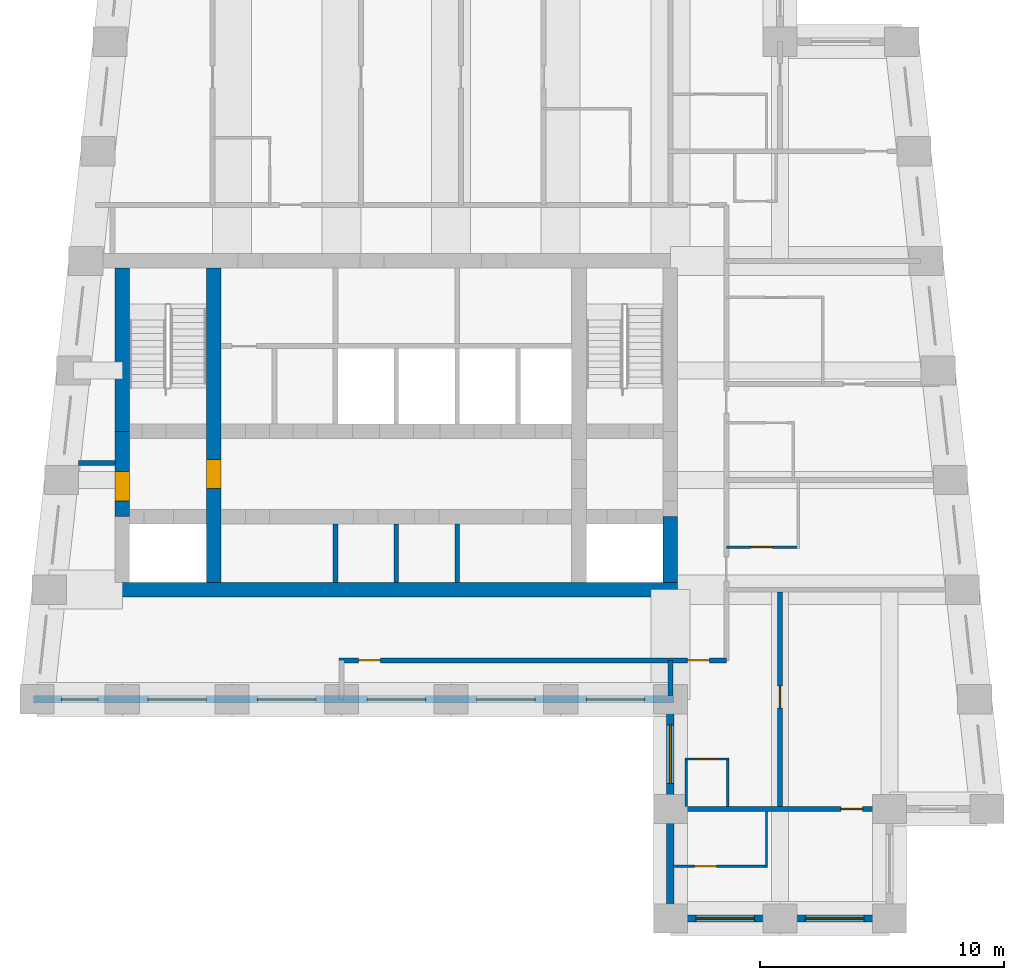
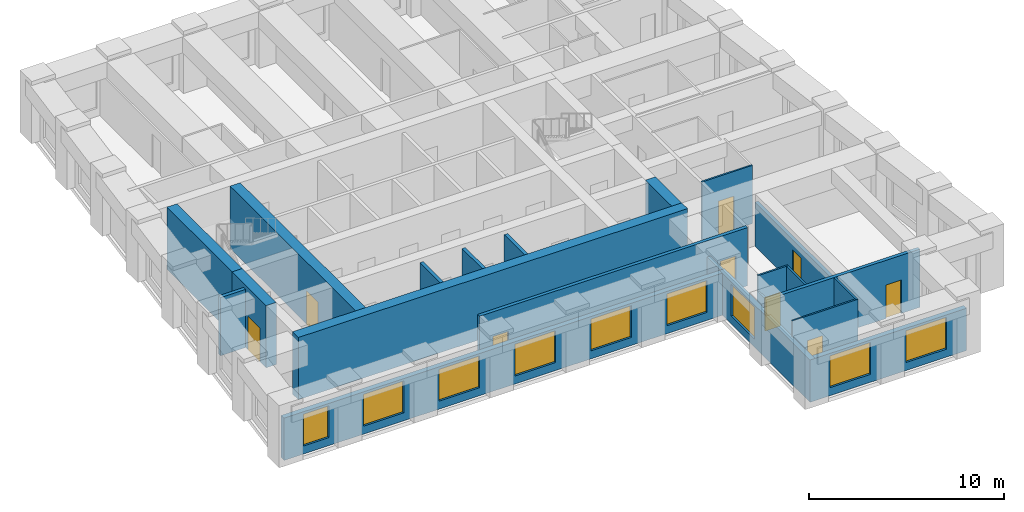
# One storey, part 2 of 7: 22 walls, 9 doors, 9 windows, 18 openings.
"""IFC4 building model written with IfcOpenShell, lengths in metres."""

from ifc_helpers import new_model, si_unit, direction, frame, frame_2d, origin, place, context, subcontext, project, spatial, rectangle, extrude, material, layer, layer_set, type_object, element, fill, save


model = new_model("IFC4")

# Units and contexts
model_context = context("Model", 3, precision=1e-05, world=origin(), true_north=direction((0.0, 1.0)))
body_context = subcontext(model_context, "Body", "Model", "MODEL_VIEW")
ifc_project = project(units=[si_unit("LENGTHUNIT", "METRE"), si_unit("AREAUNIT", "SQUARE_METRE"), si_unit("VOLUMEUNIT", "CUBIC_METRE"), si_unit("PLANEANGLEUNIT", "RADIAN"), si_unit("MASSUNIT", "GRAM", prefix="KILO")], contexts=[model_context])

# Site, building, storey
site_placement = place(None, origin())
site = spatial("IfcSite", under=ifc_project, at=site_placement, CompositionType="ELEMENT")
building_placement = place(site_placement, origin())
building = spatial("IfcBuilding", under=site, at=building_placement, Name="Kilele Tower Hotel", CompositionType="ELEMENT")
storey_placement = place(building_placement, frame((0.0, 0.0, 278.0)))
storey = spatial("IfcBuildingStorey", under=building, at=storey_placement, Name="L71", CompositionType="ELEMENT", Elevation=278.0)

# Wall, opening, door
ifc_material_1 = material(Name="Moisture-resistant board")
ifc_layer_1 = layer(ifc_material_1, 0.10009765625)
ifc_layer_set_1 = layer_set([ifc_layer_1], Name="Moisture-resistant board")
wall_type_1 = type_object("IfcWallType", Name="Bathroom partition 100", PredefinedType="PLUMBINGWALL", material=ifc_layer_set_1)
wall_1_placement = place(storey_placement, frame((38.300048828125, 15.25, 0.0), z_axis=(0.0, 0.0, 1.0), x_axis=(1.0, 0.0, 0.0)))
wall_1 = element("IfcWall", 1, at=wall_1_placement, inside=storey, type_object=wall_type_1, Name="Bathroom partition 100 L71", PredefinedType="PLUMBINGWALL", context=body_context, shape_type="SweptSolid", body=[
    extrude(rectangle(XDim=3.0, YDim=0.10009765625, at=frame_2d((1.5, 0.0))), origin(), (0.0, 0.0, 1.0), 3.64990234375),
])
opening_1_placement = place(wall_1_placement, frame((1.89990234375, 0.0, 0.0), z_axis=(0.0, 0.0, 1.0), x_axis=(-1.0, 0.0, 0.0)))
opening_1 = element("IfcOpeningElement", 2, at=opening_1_placement, cuts=wall_1, Name="Opening D2A", PredefinedType="OPENING", context=body_context, shape_type="SweptSolid", body=[
    extrude(rectangle(XDim=0.89990234375, YDim=2.10009765625, at=frame_2d((0.449951171875, 1.050048828125))), frame((0.0, 0.06005859375, 0.0), z_axis=(0.0, -1.0, 0.0), x_axis=(1.0, 0.0, 0.0)), (0.0, 0.0, 1.0), 0.1201171875),
])
ifc_material_2 = material(Name="Timber door leaf in hardwood frame", Category="wood")
door_type_1 = type_object("IfcDoorType", Name="Bathroom door 900", OperationType="SINGLE_SWING_LEFT", PredefinedType="DOOR", material=ifc_material_2)
door_1_placement = place(opening_1_placement, origin())
door_1 = element("IfcDoor", 3, at=door_1_placement, inside=storey, type_object=door_type_1, Name="Bathroom door 7103B", OperationType="SINGLE_SWING_RIGHT", OverallHeight=2.10009765625, OverallWidth=0.89990234375, PredefinedType="DOOR", context=body_context, shape_type="SweptSolid", body=[
    extrude(rectangle(XDim=0.89990234375, YDim=2.10009765625, at=frame_2d((0.449951171875, 1.050048828125))), frame((0.0, 0.02490234375, 0.0), z_axis=(0.0, -1.0, 0.0), x_axis=(1.0, 0.0, 0.0)), (0.0, 0.0, 1.0), 0.050048828125),
])
fill(opening_1, door_1)

# Walls
wall_2_placement = place(storey_placement, frame((38.35009765625, 4.60009765625, 0.0), z_axis=(0.0, 0.0, 1.0), x_axis=(0.0, 1.0, 0.0)))
element("IfcWall", 4, at=wall_2_placement, inside=storey, type_object=wall_type_1, Name="Bathroom partition 100 L71", PredefinedType="PLUMBINGWALL", context=body_context, shape_type="SweptSolid", body=[
    extrude(rectangle(XDim=2.0, YDim=0.10009765625, at=frame_2d((1.0, 0.0))), origin(), (0.0, 0.0, 1.0), 3.64990234375),
])
wall_3_placement = place(storey_placement, frame((36.64990234375, 4.60009765625, 0.0), z_axis=(0.0, 0.0, 1.0), x_axis=(0.0, 1.0, 0.0)))
element("IfcWall", 5, at=wall_3_placement, inside=storey, type_object=wall_type_1, Name="Bathroom partition 100 L71", PredefinedType="PLUMBINGWALL", context=body_context, shape_type="SweptSolid", body=[
    extrude(rectangle(XDim=2.0, YDim=0.10009765625, at=frame_2d((1.0, 0.0))), origin(), (0.0, 0.0, 1.0), 2.64990234375),
])

# Wall, opening, door
wall_4_placement = place(storey_placement, frame((36.60009765625, 6.550048828125, 0.0), z_axis=(0.0, 0.0, 1.0), x_axis=(1.0, 0.0, 0.0)))
wall_4 = element("IfcWall", 6, at=wall_4_placement, inside=storey, type_object=wall_type_1, Name="Bathroom partition 100 L71", PredefinedType="PLUMBINGWALL", context=body_context, shape_type="SweptSolid", body=[
    extrude(rectangle(XDim=1.7998046875, YDim=0.10009765625, at=frame_2d((0.89990234375, 0.0))), origin(), (0.0, 0.0, 1.0), 3.64990234375),
])
opening_2_placement = place(wall_4_placement, frame((0.449951171875, 0.0, 0.0)))
opening_2 = element("IfcOpeningElement", 7, at=opening_2_placement, cuts=wall_4, Name="Opening D2A", PredefinedType="OPENING", context=body_context, shape_type="SweptSolid", body=[
    extrude(rectangle(XDim=0.89990234375, YDim=2.10009765625, at=frame_2d((0.449951171875, 1.050048828125))), frame((0.0, 0.06005859375, 0.0), z_axis=(0.0, -1.0, 0.0), x_axis=(1.0, 0.0, 0.0)), (0.0, 0.0, 1.0), 0.1201171875),
])
door_2_placement = place(opening_2_placement, origin())
door_2 = element("IfcDoor", 8, at=door_2_placement, inside=storey, type_object=door_type_1, Name="Bathroom door 7111P", OperationType="SINGLE_SWING_LEFT", OverallHeight=2.10009765625, OverallWidth=0.89990234375, PredefinedType="DOOR", context=body_context, shape_type="SweptSolid", body=[
    extrude(rectangle(XDim=0.89990234375, YDim=2.10009765625, at=frame_2d((0.449951171875, 1.050048828125))), frame((0.0, 0.02490234375, 0.0), z_axis=(0.0, -1.0, 0.0), x_axis=(1.0, 0.0, 0.0)), (0.0, 0.0, 1.0), 0.050048828125),
])
fill(opening_2, door_2)

# Wall
wall_5_placement = place(storey_placement, frame((39.949951171875, 4.39990234375, 0.0), z_axis=(0.0, 0.0, 1.0), x_axis=(0.0, -1.0, 0.0)))
element("IfcWall", 9, at=wall_5_placement, inside=storey, type_object=wall_type_1, Name="Bathroom partition 100 L71", PredefinedType="PLUMBINGWALL", context=body_context, shape_type="SweptSolid", body=[
    extrude(rectangle(XDim=2.2998046875, YDim=0.10009765625, at=frame_2d((1.14990234375, 0.0))), origin(), (0.0, 0.0, 1.0), 3.64990234375),
])

# Wall, opening, door
wall_6_placement = place(storey_placement, frame((36.10009765625, 2.14990234375, 0.0), z_axis=(0.0, 0.0, 1.0), x_axis=(1.0, 0.0, 0.0)))
wall_6 = element("IfcWall", 10, at=wall_6_placement, inside=storey, type_object=wall_type_1, Name="Bathroom partition 100 L71", PredefinedType="PLUMBINGWALL", context=body_context, shape_type="SweptSolid", body=[
    extrude(rectangle(XDim=3.89990234375, YDim=0.10009765625, at=frame_2d((1.949951171875, 0.0))), origin(), (0.0, 0.0, 1.0), 3.64990234375),
])
opening_3_placement = place(wall_6_placement, frame((1.7998046875, 0.0, 0.0), z_axis=(0.0, 0.0, 1.0), x_axis=(-1.0, 0.0, 0.0)))
opening_3 = element("IfcOpeningElement", 11, at=opening_3_placement, cuts=wall_6, Name="Opening D2A", PredefinedType="OPENING", context=body_context, shape_type="SweptSolid", body=[
    extrude(rectangle(XDim=0.89990234375, YDim=2.10009765625, at=frame_2d((0.449951171875, 1.050048828125))), frame((0.0, 0.06005859375, 0.0), z_axis=(0.0, -1.0, 0.0), x_axis=(1.0, 0.0, 0.0)), (0.0, 0.0, 1.0), 0.1201171875),
])
door_3_placement = place(opening_3_placement, origin())
door_3 = element("IfcDoor", 12, at=door_3_placement, inside=storey, type_object=door_type_1, Name="Bathroom door 7113B", OperationType="SINGLE_SWING_RIGHT", OverallHeight=2.10009765625, OverallWidth=0.89990234375, PredefinedType="DOOR", context=body_context, shape_type="SweptSolid", body=[
    extrude(rectangle(XDim=0.89990234375, YDim=2.10009765625, at=frame_2d((0.449951171875, 1.050048828125))), frame((0.0, 0.02490234375, 0.0), z_axis=(0.0, -1.0, 0.0), x_axis=(1.0, 0.0, 0.0)), (0.0, 0.0, 1.0), 0.050048828125),
])
fill(opening_3, door_3)

# Wall
ifc_material_3 = material(Name="Concrete C60/75", Category="concrete")
ifc_layer_2 = layer(ifc_material_3, 0.60009765625)
ifc_layer_set_2 = layer_set([ifc_layer_2], Name="Concrete C60/75")
wall_type_2 = type_object("IfcWallType", Name="Core wall 600 C60/75", PredefinedType="SHEAR", material=ifc_layer_set_2)
wall_7_placement = place(storey_placement, frame((13.199951171875, 13.5, 0.0), z_axis=(0.0, 0.0, 1.0), x_axis=(1.0, 0.0, 0.0)))
element("IfcWall", 13, at=wall_7_placement, inside=storey, type_object=wall_type_2, Name="Core wall S L71", PredefinedType="SHEAR", context=body_context, shape_type="SweptSolid", body=[
    extrude(rectangle(XDim=23.10009765625, YDim=0.60009765625, at=frame_2d((11.550048828125, 0.0))), origin(), (0.0, 0.0, 1.0), 3.89990234375),
])

# Wall, opening, door
wall_8_placement = place(storey_placement, frame((17.25, 13.800048828125, 0.0), z_axis=(0.0, 0.0, 1.0), x_axis=(0.0, 1.0, 0.0)))
wall_8 = element("IfcWall", 14, at=wall_8_placement, inside=storey, type_object=wall_type_2, Name="Core wall IW L71", PredefinedType="SHEAR", context=body_context, shape_type="SweptSolid", body=[
    extrude(rectangle(XDim=12.89990234375, YDim=0.60009765625, at=frame_2d((6.449951171875, 0.0))), origin(), (0.0, 0.0, 1.0), 3.89990234375),
])
opening_4_placement = place(wall_8_placement, frame((3.85009765625, 0.0, 0.0)))
opening_4 = element("IfcOpeningElement", 15, at=opening_4_placement, cuts=wall_8, Name="Opening D4", PredefinedType="OPENING", context=body_context, shape_type="SweptSolid", body=[
    extrude(rectangle(XDim=1.199951171875, YDim=2.10009765625, at=frame_2d((0.60009765625, 1.050048828125))), frame((0.0, 0.31005859375, 0.0), z_axis=(0.0, -1.0, 0.0), x_axis=(1.0, 0.0, 0.0)), (0.0, 0.0, 1.0), 0.6201171875),
])
ifc_material_4 = material(Name="Timber door leaf in hardwood frame", Category="wood")
door_type_2 = type_object("IfcDoorType", Name="Firefighting lobby door 1200", OperationType="SINGLE_SWING_LEFT", PredefinedType="DOOR", material=ifc_material_4)
door_4_placement = place(opening_4_placement, origin())
door_4 = element("IfcDoor", 16, at=door_4_placement, inside=storey, type_object=door_type_2, Name="Lobby door L71", OperationType="SINGLE_SWING_LEFT", OverallHeight=2.10009765625, OverallWidth=1.199951171875, PredefinedType="DOOR", context=body_context, shape_type="SweptSolid", body=[
    extrude(rectangle(XDim=1.199951171875, YDim=2.10009765625, at=frame_2d((0.60009765625, 1.050048828125))), frame((0.0, 0.2998046875, 0.0), z_axis=(0.0, -1.0, 0.0), x_axis=(1.0, 0.0, 0.0)), (0.0, 0.0, 1.0), 0.599609375),
])
fill(opening_4, door_4)

# Wall
wall_9_placement = place(storey_placement, frame((13.5, 26.699951171875, 0.0), z_axis=(0.0, 0.0, 1.0), x_axis=(0.0, -1.0, 0.0)))
element("IfcWall", 17, at=wall_9_placement, inside=storey, type_object=wall_type_2, Name="Core wall W1 L71", PredefinedType="SHEAR", context=body_context, shape_type="SweptSolid", body=[
    extrude(rectangle(XDim=6.699951171875, YDim=0.60009765625, at=frame_2d((3.35009765625, 0.0))), origin(), (0.0, 0.0, 1.0), 3.89990234375),
])

# Wall, opening, door
wall_10_placement = place(storey_placement, frame((13.5, 20.0, 0.0), z_axis=(0.0, 0.0, 1.0), x_axis=(0.0, -1.0, 0.0)))
wall_10 = element("IfcWall", 18, at=wall_10_placement, inside=storey, type_object=wall_type_2, Name="Core wall W2 L71", PredefinedType="SHEAR", context=body_context, shape_type="SweptSolid", body=[
    extrude(rectangle(XDim=3.5, YDim=0.60009765625, at=frame_2d((1.75, 0.0))), origin(), (0.0, 0.0, 1.0), 3.89990234375),
])
opening_5_placement = place(wall_10_placement, frame((1.64990234375, 0.0, 0.0)))
opening_5 = element("IfcOpeningElement", 19, at=opening_5_placement, cuts=wall_10, Name="Opening D4", PredefinedType="OPENING", context=body_context, shape_type="SweptSolid", body=[
    extrude(rectangle(XDim=1.199951171875, YDim=2.10009765625, at=frame_2d((0.60009765625, 1.050048828125))), frame((0.0, 0.31005859375, 0.0), z_axis=(0.0, -1.0, 0.0), x_axis=(1.0, 0.0, 0.0)), (0.0, 0.0, 1.0), 0.6201171875),
])
door_5_placement = place(opening_5_placement, origin())
door_5 = element("IfcDoor", 20, at=door_5_placement, inside=storey, type_object=door_type_2, Name="Lobby door L71", OperationType="SINGLE_SWING_RIGHT", OverallHeight=2.10009765625, OverallWidth=1.199951171875, PredefinedType="DOOR", context=body_context, shape_type="SweptSolid", body=[
    extrude(rectangle(XDim=1.199951171875, YDim=2.10009765625, at=frame_2d((0.60009765625, 1.050048828125))), frame((0.0, 0.2998046875, 0.0), z_axis=(0.0, -1.0, 0.0), x_axis=(1.0, 0.0, 0.0)), (0.0, 0.0, 1.0), 0.599609375),
])
fill(opening_5, door_5)

# Wall
wall_11_placement = place(storey_placement, frame((36.0, 13.800048828125, 0.0), z_axis=(0.0, 0.0, 1.0), x_axis=(0.0, 1.0, 0.0)))
element("IfcWall", 21, at=wall_11_placement, inside=storey, type_object=wall_type_2, Name="Core wall E1 L71", PredefinedType="SHEAR", context=body_context, shape_type="SweptSolid", body=[
    extrude(rectangle(XDim=2.699951171875, YDim=0.60009765625, at=frame_2d((1.35009765625, 0.0))), origin(), (0.0, 0.0, 1.0), 3.89990234375),
])

# Wall, openings, doors
ifc_material_5 = material(Name="Blockwork, plastered both sides", Category="masonry")
ifc_layer_3 = layer(ifc_material_5, 0.199951171875)
ifc_layer_set_3 = layer_set([ifc_layer_3], Name="Blockwork, plastered both sides")
wall_type_3 = type_object("IfcWallType", Name="Corridor wall 200", PredefinedType="PARTITIONING", material=ifc_layer_set_3)
wall_12_placement = place(storey_placement, frame((22.39990234375, 10.60009765625, 0.0), z_axis=(0.0, 0.0, 1.0), x_axis=(1.0, 0.0, 0.0)))
wall_12 = element("IfcWall", 22, at=wall_12_placement, inside=storey, type_object=wall_type_3, Name="Corridor wall 200 L71", PredefinedType="PARTITIONING", context=body_context, shape_type="SweptSolid", body=[
    extrude(rectangle(XDim=15.900146484375, YDim=0.199951171875, at=frame_2d((7.9501953125, 0.0))), origin(), (0.0, 0.0, 1.0), 3.64990234375),
])
opening_6_placement = place(wall_12_placement, frame((1.699951171875, 0.0, 0.0), z_axis=(0.0, 0.0, 1.0), x_axis=(-1.0, 0.0, 0.0)))
opening_6 = element("IfcOpeningElement", 23, at=opening_6_placement, cuts=wall_12, Name="Opening D1", PredefinedType="OPENING", context=body_context, shape_type="SweptSolid", body=[
    extrude(rectangle(XDim=0.89990234375, YDim=2.10009765625, at=frame_2d((0.449951171875, 1.050048828125))), frame((0.0, 0.10986328125, 0.0), z_axis=(0.0, -1.0, 0.0), x_axis=(1.0, 0.0, 0.0)), (0.0, 0.0, 1.0), 0.219970703125),
])
opening_7_placement = place(wall_12_placement, frame((15.199951171875, 0.0, 0.0), z_axis=(0.0, 0.0, 1.0), x_axis=(-1.0, 0.0, 0.0)))
opening_7 = element("IfcOpeningElement", 24, at=opening_7_placement, cuts=wall_12, Name="Opening D1", PredefinedType="OPENING", context=body_context, shape_type="SweptSolid", body=[
    extrude(rectangle(XDim=0.89990234375, YDim=2.10009765625, at=frame_2d((0.449951171875, 1.050048828125))), frame((0.0, 0.10986328125, 0.0), z_axis=(0.0, -1.0, 0.0), x_axis=(1.0, 0.0, 0.0)), (0.0, 0.0, 1.0), 0.219970703125),
])
ifc_material_6 = material(Name="Timber door leaf in hardwood frame", Category="wood")
door_type_3 = type_object("IfcDoorType", Name="Guest room entrance door 900", OperationType="SINGLE_SWING_LEFT", PredefinedType="DOOR", material=ifc_material_6)
door_6_placement = place(opening_6_placement, origin())
door_6 = element("IfcDoor", 25, at=door_6_placement, inside=storey, type_object=door_type_3, Name="Room entrance 7102", OperationType="SINGLE_SWING_RIGHT", OverallHeight=2.10009765625, OverallWidth=0.89990234375, PredefinedType="DOOR", context=body_context, shape_type="SweptSolid", body=[
    extrude(rectangle(XDim=0.89990234375, YDim=2.10009765625, at=frame_2d((0.449951171875, 1.050048828125))), frame((0.0, 0.02490234375, 0.0), z_axis=(0.0, -1.0, 0.0), x_axis=(1.0, 0.0, 0.0)), (0.0, 0.0, 1.0), 0.050048828125),
])
fill(opening_6, door_6)
door_7_placement = place(opening_7_placement, origin())
door_7 = element("IfcDoor", 26, at=door_7_placement, inside=storey, type_object=door_type_3, Name="Room entrance 7111", OperationType="SINGLE_SWING_RIGHT", OverallHeight=2.10009765625, OverallWidth=0.89990234375, PredefinedType="DOOR", context=body_context, shape_type="SweptSolid", body=[
    extrude(rectangle(XDim=0.89990234375, YDim=2.10009765625, at=frame_2d((0.449951171875, 1.050048828125))), frame((0.0, 0.02490234375, 0.0), z_axis=(0.0, -1.0, 0.0), x_axis=(1.0, 0.0, 0.0)), (0.0, 0.0, 1.0), 0.050048828125),
])
fill(opening_7, door_7)

# Wall
ifc_material_7 = material(Name="Blockwork, plastered both sides", Category="masonry")
ifc_layer_4 = layer(ifc_material_7, 0.199951171875)
ifc_layer_set_4 = layer_set([ifc_layer_4], Name="Blockwork, plastered both sides")
wall_type_4 = type_object("IfcWallType", Name="Partition wall 200", PredefinedType="PARTITIONING", material=ifc_layer_set_4)
wall_13_placement = place(storey_placement, frame((13.199951171875, 18.699951171875, 0.0), z_axis=(0.0, 0.0, 1.0), x_axis=(-1.0, 0.0, 0.0)))
element("IfcWall", 27, at=wall_13_placement, inside=storey, type_object=wall_type_4, Name="Partition wall 200 L71", PredefinedType="PARTITIONING", context=body_context, shape_type="SweptSolid", body=[
    extrude(rectangle(XDim=1.5, YDim=0.199951171875, at=frame_2d((0.75, 0.0))), origin(), (0.0, 0.0, 1.0), 3.64990234375),
])

# Wall, opening, door
wall_14_placement = place(storey_placement, frame((40.5, 4.60009765625, 0.0), z_axis=(0.0, 0.0, 1.0), x_axis=(0.0, 1.0, 0.0)))
wall_14 = element("IfcWall", 28, at=wall_14_placement, inside=storey, type_object=wall_type_4, Name="Partition wall 200 L71", PredefinedType="PARTITIONING", context=body_context, shape_type="SweptSolid", body=[
    extrude(rectangle(XDim=8.7998046875, YDim=0.199951171875, at=frame_2d((4.39990234375, 0.0))), origin(), (0.0, 0.0, 1.0), 2.75),
])
opening_8_placement = place(wall_14_placement, frame((4.050048828125, 0.0, 0.0)))
opening_8 = element("IfcOpeningElement", 29, at=opening_8_placement, cuts=wall_14, Name="Opening D3", PredefinedType="OPENING", context=body_context, shape_type="SweptSolid", body=[
    extrude(rectangle(XDim=0.89990234375, YDim=2.10009765625, at=frame_2d((0.449951171875, 1.050048828125))), frame((0.0, 0.10986328125, 0.0), z_axis=(0.0, -1.0, 0.0), x_axis=(1.0, 0.0, 0.0)), (0.0, 0.0, 1.0), 0.219970703125),
])
ifc_material_8 = material(Name="Timber door leaf in hardwood frame", Category="wood")
door_type_4 = type_object("IfcDoorType", Name="Suite internal door 900", OperationType="SINGLE_SWING_LEFT", PredefinedType="DOOR", material=ifc_material_8)
door_8_placement = place(opening_8_placement, origin())
door_8 = element("IfcDoor", 30, at=door_8_placement, inside=storey, type_object=door_type_4, Name="Suite door 7112", OperationType="SINGLE_SWING_RIGHT", OverallHeight=2.10009765625, OverallWidth=0.89990234375, PredefinedType="DOOR", context=body_context, shape_type="SweptSolid", body=[
    extrude(rectangle(XDim=0.89990234375, YDim=2.10009765625, at=frame_2d((0.449951171875, 1.050048828125))), frame((0.0, 0.02490234375, 0.0), z_axis=(0.0, -1.0, 0.0), x_axis=(1.0, 0.0, 0.0)), (0.0, 0.0, 1.0), 0.050048828125),
])
fill(opening_8, door_8)

# Wall
ifc_material_9 = material(Name="Blockwork, plastered both sides", Category="masonry")
ifc_layer_5 = layer(ifc_material_9, 0.199951171875)
ifc_layer_set_5 = layer_set([ifc_layer_5], Name="Blockwork, plastered both sides")
wall_type_5 = type_object("IfcWallType", Name="Party wall 200", PredefinedType="PARTITIONING", material=ifc_layer_set_5)
wall_15_placement = place(storey_placement, frame((36.0, 10.60009765625, 0.0), z_axis=(0.0, 0.0, 1.0), x_axis=(0.0, -1.0, 0.0)))
element("IfcWall", 31, at=wall_15_placement, inside=storey, type_object=wall_type_5, Name="Party wall 200 L71", PredefinedType="PARTITIONING", context=body_context, shape_type="SweptSolid", body=[
    extrude(rectangle(XDim=1.4501953125, YDim=0.199951171875, at=frame_2d((0.72509765625, 0.0))), origin(), (0.0, 0.0, 1.0), 2.64990234375),
])

# Wall, opening, door
wall_16_placement = place(storey_placement, frame((35.89990234375, 4.5, 0.0), z_axis=(0.0, 0.0, 1.0), x_axis=(1.0, 0.0, 0.0)))
wall_16 = element("IfcWall", 32, at=wall_16_placement, inside=storey, type_object=wall_type_5, Name="Party wall 200 L71", PredefinedType="PARTITIONING", context=body_context, shape_type="SweptSolid", body=[
    extrude(rectangle(XDim=9.10009765625, YDim=0.199951171875, at=frame_2d((4.550048828125, 0.0))), origin(), (0.0, 0.0, 1.0), 3.64990234375),
])
opening_9_placement = place(wall_16_placement, frame((7.10009765625, 0.0, 0.0)))
opening_9 = element("IfcOpeningElement", 33, at=opening_9_placement, cuts=wall_16, Name="Opening D3", PredefinedType="OPENING", context=body_context, shape_type="SweptSolid", body=[
    extrude(rectangle(XDim=0.89990234375, YDim=2.10009765625, at=frame_2d((0.449951171875, 1.050048828125))), frame((0.0, 0.10986328125, 0.0), z_axis=(0.0, -1.0, 0.0), x_axis=(1.0, 0.0, 0.0)), (0.0, 0.0, 1.0), 0.219970703125),
])
door_9_placement = place(opening_9_placement, origin())
door_9 = element("IfcDoor", 34, at=door_9_placement, inside=storey, type_object=door_type_4, Name="Suite door 7113", OperationType="SINGLE_SWING_RIGHT", OverallHeight=2.10009765625, OverallWidth=0.89990234375, PredefinedType="DOOR", context=body_context, shape_type="SweptSolid", body=[
    extrude(rectangle(XDim=0.89990234375, YDim=2.10009765625, at=frame_2d((0.449951171875, 1.050048828125))), frame((0.0, 0.02490234375, 0.0), z_axis=(0.0, -1.0, 0.0), x_axis=(1.0, 0.0, 0.0)), (0.0, 0.0, 1.0), 0.050048828125),
])
fill(opening_9, door_9)

# Wall, openings, windows
ifc_material_10 = material(Name="Concrete C40/50 precast", Category="concrete")
ifc_layer_6 = layer(ifc_material_10, 0.260009765625, Name="Precast backing", Category="LoadBearing")
ifc_material_11 = material(Name="Reconstituted stone finish", Category="masonry")
ifc_layer_7 = layer(ifc_material_11, 0.0400390625, Name="Face mix", Category="Finish")
ifc_layer_set_6 = layer_set([ifc_layer_6, ifc_layer_7], Name="Precast concrete C40/50, reconstituted stone finish")
wall_type_6 = type_object("IfcWallType", Name="Precast stone facade wall 300", PredefinedType="STANDARD", material=ifc_layer_set_6)
wall_17_placement = place(storey_placement, frame((9.85009765625, 9.0, 0.0), z_axis=(0.0, 0.0, 1.0), x_axis=(1.0, 0.0, 0.0)))
wall_17 = element("IfcWall", 35, at=wall_17_placement, inside=storey, type_object=wall_type_6, Name="Facade wall L71 edge 1", PredefinedType="STANDARD", context=body_context, shape_type="SweptSolid", body=[
    extrude(rectangle(XDim=26.2998046875, YDim=0.300048828125, at=frame_2d((13.14990234375, 0.0))), origin(), (0.0, 0.0, 1.0), 2.64990234375),
])
opening_10_placement = place(wall_17_placement, frame((1.14990234375, 0.0, 0.5)))
opening_10 = element("IfcOpeningElement", 36, at=opening_10_placement, cuts=wall_17, Name="Opening W4", PredefinedType="OPENING", context=body_context, shape_type="SweptSolid", body=[
    extrude(rectangle(XDim=1.5, YDim=2.0, at=frame_2d((0.75, 1.0))), frame((0.0, 0.159912109375, 0.0), z_axis=(0.0, -1.0, 0.0), x_axis=(1.0, 0.0, 0.0)), (0.0, 0.0, 1.0), 0.320068359375),
])
opening_11_placement = place(wall_17_placement, frame((4.699951171875, 0.0, 0.5)))
opening_11 = element("IfcOpeningElement", 37, at=opening_11_placement, cuts=wall_17, Name="Opening W4", PredefinedType="OPENING", context=body_context, shape_type="SweptSolid", body=[
    extrude(rectangle(XDim=2.39990234375, YDim=2.0, at=frame_2d((1.199951171875, 1.0))), frame((0.0, 0.159912109375, 0.0), z_axis=(0.0, -1.0, 0.0), x_axis=(1.0, 0.0, 0.0)), (0.0, 0.0, 1.0), 0.320068359375),
])
opening_12_placement = place(wall_17_placement, frame((9.199951171875, 0.0, 0.5)))
opening_12 = element("IfcOpeningElement", 38, at=opening_12_placement, cuts=wall_17, Name="Opening W4", PredefinedType="OPENING", context=body_context, shape_type="SweptSolid", body=[
    extrude(rectangle(XDim=2.39990234375, YDim=2.0, at=frame_2d((1.199951171875, 1.0))), frame((0.0, 0.159912109375, 0.0), z_axis=(0.0, -1.0, 0.0), x_axis=(1.0, 0.0, 0.0)), (0.0, 0.0, 1.0), 0.320068359375),
])
opening_13_placement = place(wall_17_placement, frame((13.699951171875, 0.0, 0.5)))
opening_13 = element("IfcOpeningElement", 39, at=opening_13_placement, cuts=wall_17, Name="Opening W4", PredefinedType="OPENING", context=body_context, shape_type="SweptSolid", body=[
    extrude(rectangle(XDim=2.39990234375, YDim=2.0, at=frame_2d((1.199951171875, 1.0))), frame((0.0, 0.159912109375, 0.0), z_axis=(0.0, -1.0, 0.0), x_axis=(1.0, 0.0, 0.0)), (0.0, 0.0, 1.0), 0.320068359375),
])
opening_14_placement = place(wall_17_placement, frame((18.199951171875, 0.0, 0.5)))
opening_14 = element("IfcOpeningElement", 40, at=opening_14_placement, cuts=wall_17, Name="Opening W4", PredefinedType="OPENING", context=body_context, shape_type="SweptSolid", body=[
    extrude(rectangle(XDim=2.39990234375, YDim=2.0, at=frame_2d((1.199951171875, 1.0))), frame((0.0, 0.159912109375, 0.0), z_axis=(0.0, -1.0, 0.0), x_axis=(1.0, 0.0, 0.0)), (0.0, 0.0, 1.0), 0.320068359375),
])
opening_15_placement = place(wall_17_placement, frame((22.699951171875, 0.0, 0.5)))
opening_15 = element("IfcOpeningElement", 41, at=opening_15_placement, cuts=wall_17, Name="Opening W4", PredefinedType="OPENING", context=body_context, shape_type="SweptSolid", body=[
    extrude(rectangle(XDim=2.39990234375, YDim=2.0, at=frame_2d((1.199951171875, 1.0))), frame((0.0, 0.159912109375, 0.0), z_axis=(0.0, -1.0, 0.0), x_axis=(1.0, 0.0, 0.0)), (0.0, 0.0, 1.0), 0.320068359375),
])
ifc_material_12 = material(Name="Aluminium frame, clear double glazing", Category="aluminium")
window_type_1 = type_object("IfcWindowType", Name="Window W4 1500 x 2000", PartitioningType="SINGLE_PANEL", PredefinedType="WINDOW", material=ifc_material_12)
window_1_placement = place(opening_10_placement, origin())
window_1 = element("IfcWindow", 42, at=window_1_placement, inside=storey, type_object=window_type_1, Name="Window L71", OverallHeight=2.0, OverallWidth=1.5, PartitioningType="SINGLE_PANEL", PredefinedType="WINDOW", context=body_context, shape_type="SweptSolid", body=[
    extrude(rectangle(XDim=1.5, YDim=2.0, at=frame_2d((0.75, 1.0))), frame((0.0, 0.030029296875, 0.0), z_axis=(0.0, -1.0, 0.0), x_axis=(1.0, 0.0, 0.0)), (0.0, 0.0, 1.0), 0.06005859375),
])
fill(opening_10, window_1)
ifc_material_13 = material(Name="Aluminium frame, clear double glazing", Category="aluminium")
window_type_2 = type_object("IfcWindowType", Name="Window W4 2400 x 2000", PartitioningType="SINGLE_PANEL", PredefinedType="WINDOW", material=ifc_material_13)
window_2_placement = place(opening_11_placement, origin())
window_2 = element("IfcWindow", 43, at=window_2_placement, inside=storey, type_object=window_type_2, Name="Window L71", OverallHeight=2.0, OverallWidth=2.39990234375, PartitioningType="SINGLE_PANEL", PredefinedType="WINDOW", context=body_context, shape_type="SweptSolid", body=[
    extrude(rectangle(XDim=2.39990234375, YDim=2.0, at=frame_2d((1.199951171875, 1.0))), frame((0.0, 0.030029296875, 0.0), z_axis=(0.0, -1.0, 0.0), x_axis=(1.0, 0.0, 0.0)), (0.0, 0.0, 1.0), 0.06005859375),
])
fill(opening_11, window_2)
window_3_placement = place(opening_12_placement, origin())
window_3 = element("IfcWindow", 44, at=window_3_placement, inside=storey, type_object=window_type_2, Name="Window L71", OverallHeight=2.0, OverallWidth=2.39990234375, PartitioningType="SINGLE_PANEL", PredefinedType="WINDOW", context=body_context, shape_type="SweptSolid", body=[
    extrude(rectangle(XDim=2.39990234375, YDim=2.0, at=frame_2d((1.199951171875, 1.0))), frame((0.0, 0.030029296875, 0.0), z_axis=(0.0, -1.0, 0.0), x_axis=(1.0, 0.0, 0.0)), (0.0, 0.0, 1.0), 0.06005859375),
])
fill(opening_12, window_3)
window_4_placement = place(opening_13_placement, origin())
window_4 = element("IfcWindow", 45, at=window_4_placement, inside=storey, type_object=window_type_2, Name="Window L71", OverallHeight=2.0, OverallWidth=2.39990234375, PartitioningType="SINGLE_PANEL", PredefinedType="WINDOW", context=body_context, shape_type="SweptSolid", body=[
    extrude(rectangle(XDim=2.39990234375, YDim=2.0, at=frame_2d((1.199951171875, 1.0))), frame((0.0, 0.030029296875, 0.0), z_axis=(0.0, -1.0, 0.0), x_axis=(1.0, 0.0, 0.0)), (0.0, 0.0, 1.0), 0.06005859375),
])
fill(opening_13, window_4)
window_5_placement = place(opening_14_placement, origin())
window_5 = element("IfcWindow", 46, at=window_5_placement, inside=storey, type_object=window_type_2, Name="Window L71", OverallHeight=2.0, OverallWidth=2.39990234375, PartitioningType="SINGLE_PANEL", PredefinedType="WINDOW", context=body_context, shape_type="SweptSolid", body=[
    extrude(rectangle(XDim=2.39990234375, YDim=2.0, at=frame_2d((1.199951171875, 1.0))), frame((0.0, 0.030029296875, 0.0), z_axis=(0.0, -1.0, 0.0), x_axis=(1.0, 0.0, 0.0)), (0.0, 0.0, 1.0), 0.06005859375),
])
fill(opening_14, window_5)
window_6_placement = place(opening_15_placement, origin())
window_6 = element("IfcWindow", 47, at=window_6_placement, inside=storey, type_object=window_type_2, Name="Window L71", OverallHeight=2.0, OverallWidth=2.39990234375, PartitioningType="SINGLE_PANEL", PredefinedType="WINDOW", context=body_context, shape_type="SweptSolid", body=[
    extrude(rectangle(XDim=2.39990234375, YDim=2.0, at=frame_2d((1.199951171875, 1.0))), frame((0.0, 0.030029296875, 0.0), z_axis=(0.0, -1.0, 0.0), x_axis=(1.0, 0.0, 0.0)), (0.0, 0.0, 1.0), 0.06005859375),
])
fill(opening_15, window_6)

# Wall, opening, window
wall_18_placement = place(storey_placement, frame((36.0, 9.14990234375, 0.0), z_axis=(0.0, 0.0, 1.0), x_axis=(0.0, -1.0, 0.0)))
wall_18 = element("IfcWall", 48, at=wall_18_placement, inside=storey, type_object=wall_type_6, Name="Facade wall L71 edge 2", PredefinedType="STANDARD", context=body_context, shape_type="SweptSolid", body=[
    extrude(rectangle(XDim=9.2998046875, YDim=0.300048828125, at=frame_2d((4.64990234375, 0.0))), origin(), (0.0, 0.0, 1.0), 2.64990234375),
])
opening_16_placement = place(wall_18_placement, frame((1.199951171875, 0.0, 0.5)))
opening_16 = element("IfcOpeningElement", 49, at=opening_16_placement, cuts=wall_18, Name="Opening W4", PredefinedType="OPENING", context=body_context, shape_type="SweptSolid", body=[
    extrude(rectangle(XDim=2.39990234375, YDim=2.0, at=frame_2d((1.199951171875, 1.0))), frame((0.0, 0.159912109375, 0.0), z_axis=(0.0, -1.0, 0.0), x_axis=(1.0, 0.0, 0.0)), (0.0, 0.0, 1.0), 0.320068359375),
])
window_7_placement = place(opening_16_placement, origin())
window_7 = element("IfcWindow", 50, at=window_7_placement, inside=storey, type_object=window_type_2, Name="Window L71", OverallHeight=2.0, OverallWidth=2.39990234375, PartitioningType="SINGLE_PANEL", PredefinedType="WINDOW", context=body_context, shape_type="SweptSolid", body=[
    extrude(rectangle(XDim=2.39990234375, YDim=2.0, at=frame_2d((1.199951171875, 1.0))), frame((0.0, 0.030029296875, 0.0), z_axis=(0.0, -1.0, 0.0), x_axis=(1.0, 0.0, 0.0)), (0.0, 0.0, 1.0), 0.06005859375),
])
fill(opening_16, window_7)

# Wall, openings, windows
wall_19_placement = place(storey_placement, frame((35.85009765625, 0.0, 0.0), z_axis=(0.0, 0.0, 1.0), x_axis=(1.0, 0.0, 0.0)))
wall_19 = element("IfcWall", 51, at=wall_19_placement, inside=storey, type_object=wall_type_6, Name="Facade wall L71 edge 3", PredefinedType="STANDARD", context=body_context, shape_type="SweptSolid", body=[
    extrude(rectangle(XDim=9.2998046875, YDim=0.300048828125, at=frame_2d((4.64990234375, 0.0))), origin(), (0.0, 0.0, 1.0), 2.64990234375),
])
opening_17_placement = place(wall_19_placement, frame((1.199951171875, 0.0, 0.5)))
opening_17 = element("IfcOpeningElement", 52, at=opening_17_placement, cuts=wall_19, Name="Opening W4", PredefinedType="OPENING", context=body_context, shape_type="SweptSolid", body=[
    extrude(rectangle(XDim=2.39990234375, YDim=2.0, at=frame_2d((1.199951171875, 1.0))), frame((0.0, 0.159912109375, 0.0), z_axis=(0.0, -1.0, 0.0), x_axis=(1.0, 0.0, 0.0)), (0.0, 0.0, 1.0), 0.320068359375),
])
opening_18_placement = place(wall_19_placement, frame((5.699951171875, 0.0, 0.5)))
opening_18 = element("IfcOpeningElement", 53, at=opening_18_placement, cuts=wall_19, Name="Opening W4", PredefinedType="OPENING", context=body_context, shape_type="SweptSolid", body=[
    extrude(rectangle(XDim=2.39990234375, YDim=2.0, at=frame_2d((1.199951171875, 1.0))), frame((0.0, 0.159912109375, 0.0), z_axis=(0.0, -1.0, 0.0), x_axis=(1.0, 0.0, 0.0)), (0.0, 0.0, 1.0), 0.320068359375),
])
window_8_placement = place(opening_17_placement, origin())
window_8 = element("IfcWindow", 54, at=window_8_placement, inside=storey, type_object=window_type_2, Name="Window L71", OverallHeight=2.0, OverallWidth=2.39990234375, PartitioningType="SINGLE_PANEL", PredefinedType="WINDOW", context=body_context, shape_type="SweptSolid", body=[
    extrude(rectangle(XDim=2.39990234375, YDim=2.0, at=frame_2d((1.199951171875, 1.0))), frame((0.0, 0.030029296875, 0.0), z_axis=(0.0, -1.0, 0.0), x_axis=(1.0, 0.0, 0.0)), (0.0, 0.0, 1.0), 0.06005859375),
])
fill(opening_17, window_8)
window_9_placement = place(opening_18_placement, origin())
window_9 = element("IfcWindow", 55, at=window_9_placement, inside=storey, type_object=window_type_2, Name="Window L71", OverallHeight=2.0, OverallWidth=2.39990234375, PartitioningType="SINGLE_PANEL", PredefinedType="WINDOW", context=body_context, shape_type="SweptSolid", body=[
    extrude(rectangle(XDim=2.39990234375, YDim=2.0, at=frame_2d((1.199951171875, 1.0))), frame((0.0, 0.030029296875, 0.0), z_axis=(0.0, -1.0, 0.0), x_axis=(1.0, 0.0, 0.0)), (0.0, 0.0, 1.0), 0.06005859375),
])
fill(opening_18, window_9)

# Walls
ifc_material_14 = material(Name="Blockwork, fire-rated", Category="masonry")
ifc_layer_8 = layer(ifc_material_14, 0.199951171875)
ifc_layer_set_7 = layer_set([ifc_layer_8], Name="Blockwork, fire-rated")
wall_type_7 = type_object("IfcWallType", Name="Shaft wall 200", PredefinedType="PARTITIONING", material=ifc_layer_set_7)
for number, where, z_axis, x_axis, name in (
    (56, (22.25, 13.800048828125, 0.0), (0.0, 0.0, 1.0), (0.0, 1.0, 0.0), "Shaft wall 200 L71"),
    (57, (24.75, 13.800048828125, 0.0), (0.0, 0.0, 1.0), (0.0, 1.0, 0.0), "Shaft wall 200 L71"),
    (58, (27.25, 13.800048828125, 0.0), (0.0, 0.0, 1.0), (0.0, 1.0, 0.0), "Shaft wall 200 L71"),
):
    element("IfcWall", number, at=place(storey_placement, frame(where, z_axis=z_axis, x_axis=x_axis)), inside=storey, type_object=wall_type_7, Name=name, PredefinedType="PARTITIONING", context=body_context, shape_type="SweptSolid", body=[
        extrude(rectangle(XDim=2.39990234375, YDim=0.199951171875, at=frame_2d((1.199951171875, 0.0))), origin(), (0.0, 0.0, 1.0), 3.64990234375),
    ])

save(model, "model.ifc")
